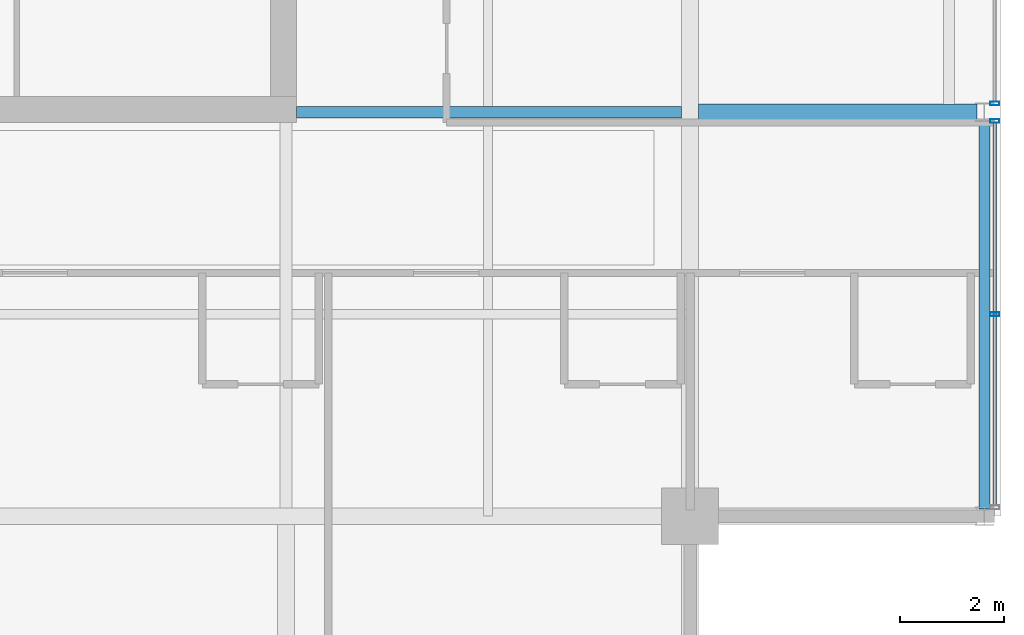
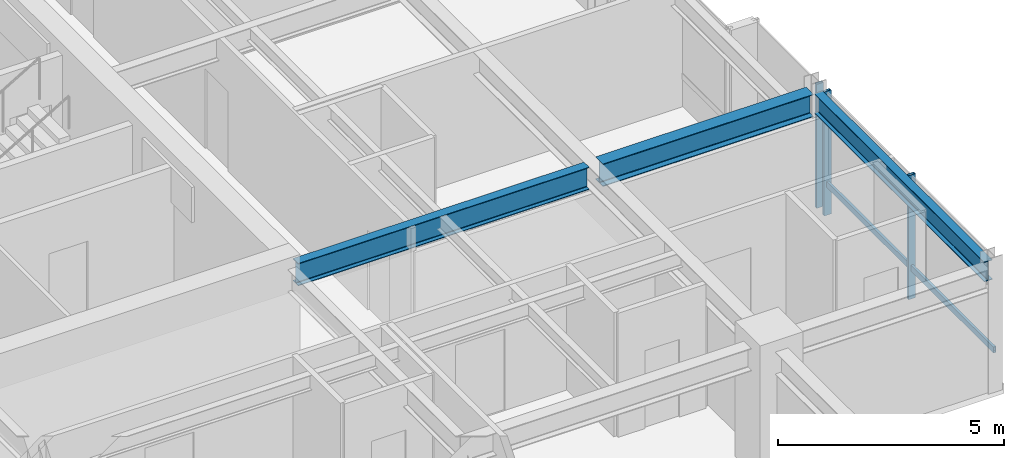
# One storey, part 16 of 34: 4 members, 3 beams, 2 elements without a shape of their own.
"""IFC4 building model written with IfcOpenShell, lengths in metres."""

from ifc_helpers import new_model, si_unit, direction, frame, origin, origin_2d, place, context, subcontext, project, spatial, hollow_rectangle, i_section, extrude, material, layer, layer_set, material_profile, profile_set, type_object, element, aggregate, save


model = new_model("IFC4")

# Units and contexts
model_context = context("Model", 3, precision=1e-05, world=origin(), true_north=direction((0.0, 1.0)))
body_context = subcontext(model_context, "Body", "Model", "MODEL_VIEW")
ifc_project = project(units=[si_unit("LENGTHUNIT", "METRE"), si_unit("AREAUNIT", "SQUARE_METRE"), si_unit("VOLUMEUNIT", "CUBIC_METRE"), si_unit("PLANEANGLEUNIT", "RADIAN"), si_unit("MASSUNIT", "GRAM", prefix="KILO")], contexts=[model_context])

# Site, building, storey
site_placement = place(None, origin())
site = spatial("IfcSite", under=ifc_project, at=site_placement, CompositionType="ELEMENT")
building_placement = place(site_placement, origin())
building = spatial("IfcBuilding", under=site, at=building_placement, Name="Drelvath Grand Hotel", CompositionType="ELEMENT")
storey_placement = place(building_placement, frame((0.0, 0.0, 290.550048828125)))
storey = spatial("IfcBuildingStorey", under=building, at=storey_placement, Name="L76", CompositionType="ELEMENT", Elevation=290.550048828125)

# Curtain wall, members
ifc_material_1 = material(Name="Platinum-Mist Anodised Aluminium Frame", Category="aluminium")
ifc_layer = layer(ifc_material_1, 0.199951171875)
ifc_layer_set = layer_set([ifc_layer], Name="Platinum-Mist Anodised Aluminium Frame")
curtain_wall_type = type_object("IfcCurtainWallType", Name="Stick Curtain Wall CW-05 Platinum Mist High-Rise", PredefinedType="NOTDEFINED", material=ifc_layer_set)
curtain_wall_1_placement = place(storey_placement, origin())
curtain_wall_1 = element("IfcCurtainWall", 1, at=curtain_wall_1_placement, inside=storey, type_object=curtain_wall_type, Name="L76 CW-05 Curtain Wall CW05-L76-ES1", PredefinedType="NOTDEFINED")
ifc_material_profile_1 = material_profile(ifc_material_1, hollow_rectangle(XDim=0.06494140625, YDim=0.159912109375, WallThickness=0.00390625, at=origin_2d()), Name="HSS160X65X4")
ifc_profile_set_1 = profile_set([ifc_material_profile_1], Name="Platinum-Mist Anodised Aluminium Frame")
member_type_1 = type_object("IfcMemberType", Name="Curtain Wall Horizontal Transom CW-05 HSS160X65X4", PredefinedType="USERDEFINED", material=ifc_profile_set_1)
member_1_placement = place(storey_placement, frame((22.080078125, 18.389892578125, 0.83740234375), z_axis=(0.0, -1.0, 0.0), x_axis=(1.0, 0.0, 0.0)))
member_1 = element("IfcMember", 2, at=member_1_placement, type_object=member_type_1, Name="CW05-L76-ES1 Sill Transom", ObjectType="TRANSOM", PredefinedType="USERDEFINED", context=body_context, shape_type="SweptSolid", body=[
    extrude(hollow_rectangle(XDim=0.06494140625, YDim=0.159912109375, WallThickness=0.00390625, at=origin_2d()), origin(), (0.0, 0.0, 1.0), 7.3798828125),
])
ifc_material_profile_2 = material_profile(ifc_material_1, hollow_rectangle(XDim=0.074951171875, YDim=0.179931640625, WallThickness=0.0048828125, at=origin_2d()), Name="HSS180X75X5")
ifc_profile_set_2 = profile_set([ifc_material_profile_2], Name="Platinum-Mist Anodised Aluminium Frame")
member_type_2 = type_object("IfcMemberType", Name="Curtain Wall Vertical Mullion CW-05 HSS180X75X5", PredefinedType="MULLION", material=ifc_profile_set_2)
member_2_placement = place(storey_placement, frame((22.080078125, 18.429931640625, 0.0), z_axis=(0.0, 0.0, 1.0), x_axis=(0.0, 1.0, 0.0)))
member_2 = element("IfcMember", 3, at=member_2_placement, type_object=member_type_2, Name="CW05-L76-ES1 Mullion 1", PredefinedType="MULLION", context=body_context, shape_type="SweptSolid", body=[
    extrude(hollow_rectangle(XDim=0.074951171875, YDim=0.179931640625, WallThickness=0.0048828125, at=origin_2d()), origin(), (0.0, 0.0, 1.0), 3.349853515625),
])
member_3_placement = place(storey_placement, frame((22.080078125, 14.7001953125, 0.0), z_axis=(0.0, 0.0, 1.0), x_axis=(0.0, 1.0, 0.0)))
member_3 = element("IfcMember", 4, at=member_3_placement, type_object=member_type_2, Name="CW05-L76-ES1 Mullion 2", PredefinedType="MULLION", context=body_context, shape_type="SweptSolid", body=[
    extrude(hollow_rectangle(XDim=0.074951171875, YDim=0.179931640625, WallThickness=0.0048828125, at=origin_2d()), origin(), (0.0, 0.0, 1.0), 3.349853515625),
])
aggregate(curtain_wall_1, [member_2, member_3, member_1])

# Curtain wall, member
curtain_wall_2_placement = place(storey_placement, origin())
curtain_wall_2 = element("IfcCurtainWall", 5, at=curtain_wall_2_placement, inside=storey, type_object=curtain_wall_type, Name="L76 CW-05 Curtain Wall CW05-L76-ES2", PredefinedType="NOTDEFINED")
member_4_placement = place(storey_placement, frame((22.080078125, 18.77001953125, 0.0), z_axis=(0.0, 0.0, 1.0), x_axis=(0.0, 1.0, 0.0)))
member_4 = element("IfcMember", 6, at=member_4_placement, type_object=member_type_2, Name="CW05-L76-ES2 Mullion 2", PredefinedType="MULLION", context=body_context, shape_type="SweptSolid", body=[
    extrude(hollow_rectangle(XDim=0.074951171875, YDim=0.179931640625, WallThickness=0.0048828125, at=origin_2d()), origin(), (0.0, 0.0, 1.0), 3.349853515625),
])
aggregate(curtain_wall_2, [member_4])

# Beams
ifc_material_2 = material(Name="Steel ASTM A992 Gr 50", Category="steel")
ifc_material_profile_3 = material_profile(ifc_material_2, i_section(OverallWidth=0.210205078125, OverallDepth=0.53662109375, WebThickness=0.010986328125, FlangeThickness=0.017333984375, FilletRadius=0.01806640625, at=origin_2d()), Name="W21X68")
ifc_profile_set_3 = profile_set([ifc_material_profile_3], Name="Steel ASTM A992 Gr 50")
beam_type_1 = type_object("IfcBeamType", Name="Perimeter Spandrel Beam W21X68", PredefinedType="SPANDREL", material=ifc_profile_set_3)
beam_1_placement = place(storey_placement, frame((21.8798828125, 10.93994140625, 3.08154296875), z_axis=(0.0, 1.0, 0.0), x_axis=(-1.0, 0.0, 0.0)))
element("IfcBeam", 7, at=beam_1_placement, inside=storey, type_object=beam_type_1, Name="L76 Spandrel East S", PredefinedType="SPANDREL", context=body_context, shape_type="SweptSolid", body=[
    extrude(i_section(OverallWidth=0.210205078125, OverallDepth=0.53662109375, WebThickness=0.010986328125, FlangeThickness=0.017333984375, FilletRadius=0.01806640625, at=origin_2d()), origin(), (0.0, 0.0, 1.0), 7.52001953125),
])
ifc_material_profile_4 = material_profile(ifc_material_2, i_section(OverallWidth=0.323974609375, OverallDepth=0.611083984375, WebThickness=0.0126953125, FlangeThickness=0.01904296875, FilletRadius=0.02197265625, at=origin_2d()), Name="W24X104")
ifc_profile_set_4 = profile_set([ifc_material_profile_4], Name="Steel ASTM A992 Gr 50")
beam_type_2 = type_object("IfcBeamType", Name="Primary Floor Girder W24X104", PredefinedType="BEAM", material=ifc_profile_set_4)
beam_2_placement = place(storey_placement, frame((16.362060546875, 18.60009765625, 3.04443359375), z_axis=(1.0, 0.0, 0.0), x_axis=(0.0, 1.0, 0.0)))
element("IfcBeam", 8, at=beam_2_placement, inside=storey, type_object=beam_type_2, Name="L76 East Wing Girder D", PredefinedType="BEAM", context=body_context, shape_type="SweptSolid", body=[
    extrude(i_section(OverallWidth=0.323974609375, OverallDepth=0.611083984375, WebThickness=0.0126953125, FlangeThickness=0.01904296875, FilletRadius=0.02197265625, at=origin_2d()), origin(), (0.0, 0.0, 1.0), 5.3779296875),
])
ifc_material_profile_5 = material_profile(ifc_material_2, i_section(OverallWidth=0.228271484375, OverallDepth=0.607666015625, WebThickness=0.01123046875, FlangeThickness=0.017333984375, FilletRadius=0.02001953125, at=origin_2d()), Name="W24X76")
ifc_profile_set_5 = profile_set([ifc_material_profile_5], Name="Steel ASTM A992 Gr 50")
beam_type_3 = type_object("IfcBeamType", Name="Primary Floor Girder W24X76", PredefinedType="BEAM", material=ifc_profile_set_5)
beam_3_placement = place(storey_placement, frame((8.60009765625, 18.60009765625, 3.046142578125), z_axis=(1.0, 0.0, 0.0), x_axis=(0.0, 1.0, 0.0)))
element("IfcBeam", 9, at=beam_3_placement, inside=storey, type_object=beam_type_3, Name="L76 East Core Tie D", PredefinedType="BEAM", context=body_context, shape_type="SweptSolid", body=[
    extrude(i_section(OverallWidth=0.228271484375, OverallDepth=0.607666015625, WebThickness=0.01123046875, FlangeThickness=0.017333984375, FilletRadius=0.02001953125, at=origin_2d()), origin(), (0.0, 0.0, 1.0), 7.43798828125),
])

save(model, "model.ifc")
